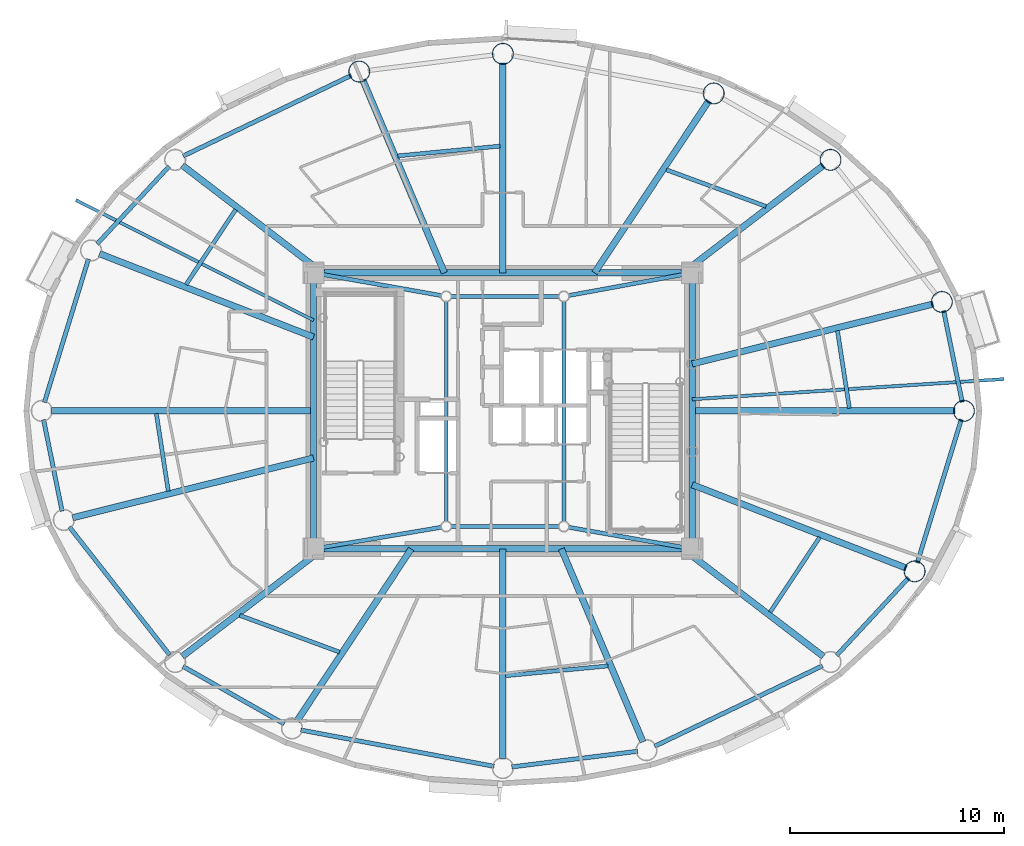
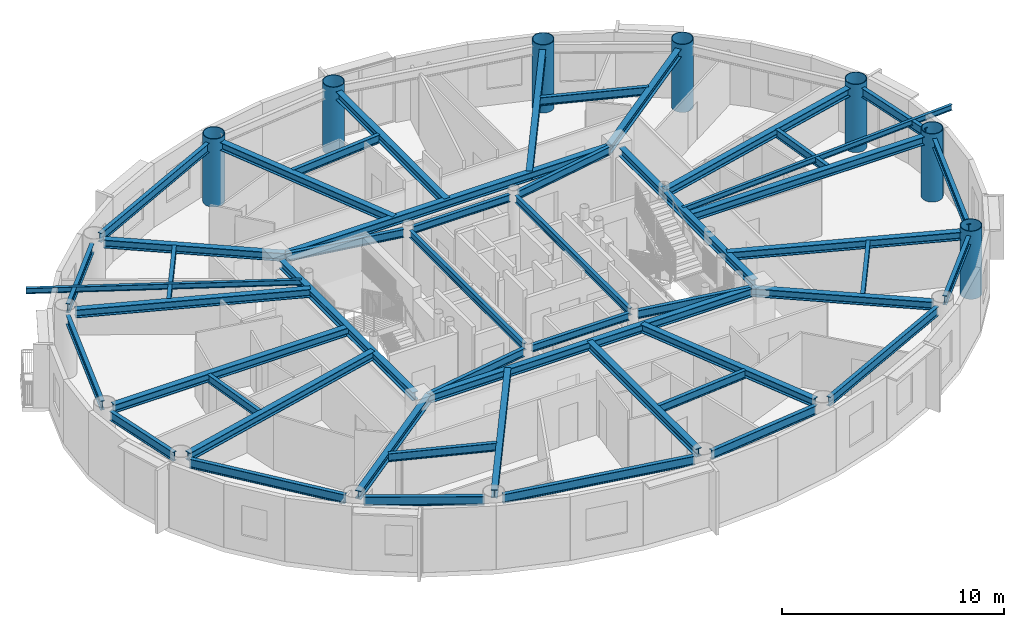
# One storey, part 2 of 18: 50 beams, 7 columns.
"""IFC4 building model written with IfcOpenShell, lengths in metres."""

import ifcopenshell
import ifcopenshell.guid

model = None  # the IFC model being written
_history = None  # IfcOwnerHistory: only IFC2X3 demands one
_inside = {}  # id of a spatial element -> (the spatial element, [elements in it])
_under = {}  # id of a project, library or spatial element -> (it, [spatial elements below it])
_declared = {}  # id of a project -> (the project, [libraries it declares])
_typed = {}  # id of a type object -> (the type object, [elements of that type])
_made_of = {}  # id of a material, layer set ... -> (it, [elements and type objects made of it])


def new_model(schema):
    """Start an empty IFC model of exactly this schema.

    Asked for "IFC4X3", IfcOpenShell would pick the latest addendum, in which some entities
    have other attributes; the version numbers below select the first issue.
    IFC2X3 requires an IfcOwnerHistory on every rooted entity: one is made here for all.
    """
    global model, _history
    if schema == "IFC4X3":
        model = ifcopenshell.file(schema_version=(4, 3, 0, 0))
    else:
        model = ifcopenshell.file(schema=schema)
    _inside.clear()
    _under.clear()
    _declared.clear()
    _typed.clear()
    _made_of.clear()
    _history = None
    if model.schema == "IFC2X3":
        org = make("IfcOrganization", Name="unknown")
        user = make(
            "IfcPersonAndOrganization",
            ThePerson=make("IfcPerson", FamilyName="unknown"),
            TheOrganization=org,
        )
        app = make(
            "IfcApplication",
            ApplicationDeveloper=org,
            Version="unknown",
            ApplicationFullName="unknown",
            ApplicationIdentifier="unknown",
        )
        _history = make(
            "IfcOwnerHistory",
            OwningUser=user,
            OwningApplication=app,
            ChangeAction="ADDED",
            CreationDate=0,
        )
    return model


def make(cls, **values):
    """One entity of the class cls with the attributes given. An attribute that is None is left unset."""
    return model.create_entity(
        cls, **{name: value for name, value in values.items() if value is not None}
    )


def rooted(cls, **values):
    """An entity with a GlobalId (a new one), such as an element, a storey or a relation."""
    return make(cls, GlobalId=ifcopenshell.guid.new(), OwnerHistory=_history, **values)


def si_unit(unit_type, name, prefix=None):
    """IfcSIUnit, for example si_unit("LENGTHUNIT", "METRE", prefix="MILLI")."""
    return make("IfcSIUnit", UnitType=unit_type, Prefix=prefix, Name=name)


def assignment(units):
    """IfcUnitAssignment: the units of a project."""
    return None if units is None else make("IfcUnitAssignment", Units=units)


def point(xyz):
    """IfcCartesianPoint."""
    return None if xyz is None else make("IfcCartesianPoint", Coordinates=xyz)


def direction(xyz):
    """IfcDirection."""
    return None if xyz is None else make("IfcDirection", DirectionRatios=xyz)


def frame(location, z_axis=None, x_axis=None):
    """IfcAxis2Placement3D, a coordinate frame: its origin and axes. An axis left out is left unset."""
    return make(
        "IfcAxis2Placement3D",
        Location=point(location),
        Axis=direction(z_axis),
        RefDirection=direction(x_axis),
    )


def frame_2d(location, x_axis=None):
    """IfcAxis2Placement2D, a coordinate frame in the plane: its origin and x axis."""
    return make(
        "IfcAxis2Placement2D", Location=point(location), RefDirection=direction(x_axis)
    )


def origin():
    """The frame at (0, 0, 0) with its axes left unset."""
    return frame((0.0, 0.0, 0.0))


def origin_2d():
    """The frame at (0, 0) in the plane with its x axis left unset."""
    return frame_2d((0.0, 0.0))


def place(relative_to, where):
    """IfcLocalPlacement: puts the frame where relative to a parent placement (None: the world)."""
    return make(
        "IfcLocalPlacement", PlacementRelTo=relative_to, RelativePlacement=where
    )


def context(
    kind, dimensions, precision=None, world=None, true_north=None, identifier=None
):
    """IfcGeometricRepresentationContext, for example the 3D "Model" context."""
    return make(
        "IfcGeometricRepresentationContext",
        ContextIdentifier=identifier,
        ContextType=kind,
        CoordinateSpaceDimension=dimensions,
        Precision=precision,
        WorldCoordinateSystem=world,
        TrueNorth=true_north,
    )


def subcontext(parent, identifier, kind, view, scale=None):
    """IfcGeometricRepresentationSubContext, for example "Body" below "Model"."""
    return make(
        "IfcGeometricRepresentationSubContext",
        ContextIdentifier=identifier,
        ContextType=kind,
        ParentContext=parent,
        TargetScale=scale,
        TargetView=view,
    )


def project(units=None, contexts=None):
    """IfcProject with its units and contexts."""
    return rooted(
        "IfcProject",
        Name="project",
        RepresentationContexts=contexts,
        UnitsInContext=assignment(units),
    )


def spatial(cls, under=None, at=None, **own):
    """A site, building, storey or space (cls), placed at a placement, below another one or the project."""
    s = rooted(cls, ObjectPlacement=at, **own)
    if under is not None:
        _under.setdefault(under.id(), (under, []))[1].append(s)
    return s


def profile(cls, at=None, kind="AREA", **sizes):
    """A parametric profile (cls). Its sizes go by their IFC names, for example OverallWidth=200.0."""
    return make(cls, ProfileType=kind, Position=at, **sizes)


def hollow_circle(**sizes):
    """IfcCircleHollowProfileDef."""
    return profile("IfcCircleHollowProfileDef", **sizes)


def i_section(**sizes):
    """IfcIShapeProfileDef."""
    return profile("IfcIShapeProfileDef", **sizes)


def extrude(swept, where, along, depth):
    """IfcExtrudedAreaSolid: the profile swept, set in the frame where, extruded along a direction by depth."""
    return make(
        "IfcExtrudedAreaSolid",
        SweptArea=swept,
        Position=where,
        ExtrudedDirection=direction(along),
        Depth=depth,
    )


def shape(context_of_items, identifier, shape_type, items):
    """IfcShapeRepresentation: the items that make up one representation, for example the "Body"."""
    return make(
        "IfcShapeRepresentation",
        ContextOfItems=context_of_items,
        RepresentationIdentifier=identifier,
        RepresentationType=shape_type,
        Items=items,
    )


def material(Name=None, Category=None):
    """IfcMaterial."""
    return make("IfcMaterial", Name=Name, Category=Category)


def material_profile(
    of_material, cross_section, Name=None, Category=None, Priority=None
):
    """IfcMaterialProfile: a cross section and its material."""
    return make(
        "IfcMaterialProfile",
        Name=Name,
        Material=of_material,
        Profile=cross_section,
        Priority=Priority,
        Category=Category,
    )


def profile_set(profiles, Name=None, composite=None):
    """IfcMaterialProfileSet."""
    return make(
        "IfcMaterialProfileSet",
        Name=Name,
        MaterialProfiles=profiles,
        CompositeProfile=composite,
    )


def made_of(thing, what):
    """Note that an element or type object is made of a material, layer set ...; save() writes the relation."""
    if what is not None:
        _made_of.setdefault(what.id(), (what, []))[1].append(thing)
    return thing


def type_object(cls, material=None, **own):
    """A type object (cls), such as IfcWallType, which elements share."""
    return made_of(rooted(cls, **own), material)


def element(
    cls,
    number,
    at=None,
    inside=None,
    cuts=None,
    type_object=None,
    material=None,
    context=None,
    identifier="Body",
    shape_type=None,
    held_by="IfcProductDefinitionShape",
    body=None,
    shapes=None,
    **own,
):
    """One element of the class cls, such as IfcWall. Its Tag is "e" and its number.

    at: its placement. inside: the storey or other place that contains it. cuts: it is an
    opening in that element (IfcRelVoidsElement). A single representation is given by context,
    identifier, shape_type and body (its items); several are given by shapes. held_by: the class
    of the entity that holds the representations. save() writes the other relations.
    """
    e = rooted(cls, Tag="e%d" % number, ObjectPlacement=at, **own)
    if body is not None:
        shapes = [shape(context, identifier, shape_type, body)]
    if shapes is not None:
        e.Representation = make(held_by, Representations=shapes)
    if inside is not None:
        _inside.setdefault(inside.id(), (inside, []))[1].append(e)
    if cuts is not None:
        rooted(
            "IfcRelVoidsElement", RelatingBuildingElement=cuts, RelatedOpeningElement=e
        )
    if type_object is not None:
        _typed.setdefault(type_object.id(), (type_object, []))[1].append(e)
    return made_of(e, material)


def aggregate(whole, parts):
    """IfcRelAggregates: a whole, such as a stair, and the parts it consists of."""
    return rooted("IfcRelAggregates", RelatingObject=whole, RelatedObjects=parts)


def save(model, path):
    """Write the relations noted so far, then the file.

    IfcRelAggregates (storeys below a building ...), IfcRelContainedInSpatialStructure (elements
    in a storey), IfcRelDefinesByType, IfcRelAssociatesMaterial and IfcRelDeclares: one each for
    every whole, place, type object, material and project.
    """
    for whole, parts in _under.values():
        aggregate(whole, parts)
    for where, things in _inside.values():
        rooted(
            "IfcRelContainedInSpatialStructure",
            RelatedElements=things,
            RelatingStructure=where,
        )
    for kind, things in _typed.values():
        rooted("IfcRelDefinesByType", RelatedObjects=things, RelatingType=kind)
    for what, things in _made_of.values():
        rooted("IfcRelAssociatesMaterial", RelatedObjects=things, RelatingMaterial=what)
    for by, libraries in _declared.values():
        rooted("IfcRelDeclares", RelatingContext=by, RelatedDefinitions=libraries)
    model.write(path)


model = new_model("IFC4")

# Units and contexts
model_context = context("Model", 3, precision=1e-05, world=origin(), true_north=direction((0.0, 1.0)))
body_context = subcontext(model_context, "Body", "Model", "MODEL_VIEW")
ifc_project = project(units=[si_unit("LENGTHUNIT", "METRE"), si_unit("AREAUNIT", "SQUARE_METRE"), si_unit("VOLUMEUNIT", "CUBIC_METRE"), si_unit("PLANEANGLEUNIT", "RADIAN"), si_unit("MASSUNIT", "GRAM", prefix="KILO")], contexts=[model_context])

# Site, building, storey
site_placement = place(None, origin())
site = spatial("IfcSite", under=ifc_project, at=site_placement, CompositionType="ELEMENT")
building_placement = place(site_placement, origin())
building = spatial("IfcBuilding", under=site, at=building_placement, Name="Linh Dai School and Residence Tower", CompositionType="ELEMENT")
storey_placement = place(building_placement, frame((0.0, 0.0, 295.5)))
storey = spatial("IfcBuildingStorey", under=building, at=storey_placement, Name="L73", CompositionType="ELEMENT", Elevation=295.5)

# Columns
ifc_material = material(Name="Structural Steel S355JR", Category="steel")
ifc_material_profile_1 = material_profile(ifc_material, hollow_circle(Radius=0.5, WallThickness=0.031982421875, at=origin_2d()), Name="CHS 1000x32")
ifc_profile_set_1 = profile_set([ifc_material_profile_1], Name="Structural Steel S355JR")
column_type = type_object("IfcColumnType", Name="COL-MC6", PredefinedType="COLUMN", material=ifc_profile_set_1)
for number, where, z_axis, x_axis, name in (
    (1, (57.550048828125, 27.0, 0.0), (0.0, 0.0, 1.0), (1.0, 0.0, 0.0), "L73 Perimeter CFT Mega-Column MC01"),
    (2, (56.5185546875, 32.094482421875, 0.0), (0.0, 0.0, 1.0), (1.0, 0.0, 0.0), "L73 Perimeter CFT Mega-Column MC02"),
    (3, (51.315185546875, 38.7333984375, 0.0), (0.0, 0.0, 1.0), (1.0, 0.0, 0.0), "L73 Perimeter CFT Mega-Column MC03"),
    (4, (45.8544921875, 41.8388671875, 0.0), (0.0, 0.0, 1.0), (1.0, 0.0, 0.0), "L73 Perimeter CFT Mega-Column MC04"),
    (5, (36.0, 43.68994140625, 0.0), (0.0, 0.0, 1.0), (1.0, 0.0, 0.0), "L73 Perimeter CFT Mega-Column MC05"),
    (6, (29.28759765625, 42.857666015625, 0.0), (0.0, 0.0, 1.0), (1.0, 0.0, 0.0), "L73 Perimeter CFT Mega-Column MC06"),
    (7, (55.24609375, 19.50048828125, 0.0), (0.0, 0.0, 1.0), (1.0, 0.0, 0.0), "L73 Perimeter CFT Mega-Column MC16"),
):
    element("IfcColumn", number, at=place(storey_placement, frame(where, z_axis=z_axis, x_axis=x_axis)), inside=storey, type_object=column_type, Name=name, PredefinedType="COLUMN", context=body_context, shape_type="SweptSolid", body=[
        extrude(hollow_circle(Radius=0.5, WallThickness=0.031982421875, at=origin_2d()), origin(), (0.0, 0.0, 1.0), 3.75),
    ])

# Beams
ifc_material_profile_2 = material_profile(ifc_material, i_section(OverallWidth=0.14990234375, OverallDepth=0.300048828125, WebThickness=0.007080078125, FlangeThickness=0.0107421875, at=origin_2d()), Name="IPE 300")
ifc_profile_set_2 = profile_set([ifc_material_profile_2], Name="Structural Steel S355JR")
beam_type_1 = type_object("IfcBeamType", Name="BM-BALC-CANT", PredefinedType="BEAM", material=ifc_profile_set_2)
beam_1_placement = place(storey_placement, frame((44.85009765625, 27.54345703125, 3.35009765625), z_axis=(0.997904215312, 0.064708400245, 0.0), x_axis=(-0.064708400245, 0.997904215312, 0.0)))
element("IfcBeam", 8, at=beam_1_placement, inside=storey, type_object=beam_type_1, Name="L74 Balcony Continuous Cantilever Beam 01", PredefinedType="BEAM", context=body_context, shape_type="SweptSolid", body=[
    extrude(i_section(OverallWidth=0.14990234375, OverallDepth=0.300048828125, WebThickness=0.007080078125, FlangeThickness=0.0107421875, at=origin_2d()), origin(), (0.0, 0.0, 1.0), 14.597412109375),
])
beam_2_placement = place(storey_placement, frame((27.14990234375, 31.23291015625, 3.35009765625), z_axis=(-0.892266718589, 0.451508696371, 0.0), x_axis=(-0.451508696371, -0.892266718589, 0.0)))
element("IfcBeam", 9, at=beam_2_placement, inside=storey, type_object=beam_type_1, Name="L74 Balcony Continuous Cantilever Beam 17", PredefinedType="BEAM", context=body_context, shape_type="SweptSolid", body=[
    extrude(i_section(OverallWidth=0.14990234375, OverallDepth=0.300048828125, WebThickness=0.007080078125, FlangeThickness=0.0107421875, at=origin_2d()), origin(), (0.0, 0.0, 1.0), 12.44482421875),
])
ifc_material_profile_3 = material_profile(ifc_material, i_section(OverallWidth=0.199951171875, OverallDepth=0.5, WebThickness=0.01025390625, FlangeThickness=0.01611328125, FilletRadius=0.02099609375, at=origin_2d()), Name="IPE 500")
ifc_profile_set_3 = profile_set([ifc_material_profile_3], Name="Structural Steel S355JR")
beam_type_2 = type_object("IfcBeamType", Name="BM-RB50", PredefinedType="BEAM", material=ifc_profile_set_3)
beam_3_placement = place(storey_placement, frame((57.466552734375, 27.41162109375, 3.25), z_axis=(-0.198442801529, 0.980112470343, 0.0), x_axis=(-0.980112470343, -0.198442801529, 0.0)))
element("IfcBeam", 10, at=beam_3_placement, inside=storey, type_object=beam_type_2, Name="L73 Perimeter Elliptical Ring Beam 01", PredefinedType="BEAM", context=body_context, shape_type="SweptSolid", body=[
    extrude(i_section(OverallWidth=0.199951171875, OverallDepth=0.5, WebThickness=0.01025390625, FlangeThickness=0.01611328125, FilletRadius=0.02099609375, at=origin_2d()), origin(), (0.0, 0.0, 1.0), 4.357666015625),
])
beam_4_placement = place(storey_placement, frame((28.908935546875, 42.67626953125, 3.25), z_axis=(-0.901728757887, -0.4323022637, 0.0), x_axis=(0.4323022637, -0.901728757887, 0.0)))
element("IfcBeam", 11, at=beam_4_placement, inside=storey, type_object=beam_type_2, Name="L73 Perimeter Elliptical Ring Beam 06", PredefinedType="BEAM", context=body_context, shape_type="SweptSolid", body=[
    extrude(i_section(OverallWidth=0.199951171875, OverallDepth=0.5, WebThickness=0.01025390625, FlangeThickness=0.01611328125, FilletRadius=0.02099609375, at=origin_2d()), origin(), (0.0, 0.0, 1.0), 8.700439453125),
])
beam_5_placement = place(storey_placement, frame((20.399169921875, 38.425537109375, 3.25), z_axis=(-0.680415064526, -0.7328269509, 0.0), x_axis=(0.7328269509, -0.680415064526, 0.0)))
element("IfcBeam", 12, at=beam_5_placement, inside=storey, type_object=beam_type_2, Name="L73 Perimeter Elliptical Ring Beam 07", PredefinedType="BEAM", context=body_context, shape_type="SweptSolid", body=[
    extrude(i_section(OverallWidth=0.199951171875, OverallDepth=0.5, WebThickness=0.01025390625, FlangeThickness=0.01611328125, FilletRadius=0.02099609375, at=origin_2d()), origin(), (0.0, 0.0, 1.0), 4.9375),
])
beam_6_placement = place(storey_placement, frame((16.630615234375, 34.097900390625, 3.25), z_axis=(-0.293681749834, -0.955903253376, 0.0), x_axis=(0.955903253376, -0.293681749834, 0.0)))
element("IfcBeam", 13, at=beam_6_placement, inside=storey, type_object=beam_type_2, Name="L73 Perimeter Elliptical Ring Beam 08", PredefinedType="BEAM", context=body_context, shape_type="SweptSolid", body=[
    extrude(i_section(OverallWidth=0.199951171875, OverallDepth=0.5, WebThickness=0.01025390625, FlangeThickness=0.01611328125, FilletRadius=0.02099609375, at=origin_2d()), origin(), (0.0, 0.0, 1.0), 7.00537109375),
])
beam_7_placement = place(storey_placement, frame((14.533447265625, 26.58837890625, 3.25), z_axis=(0.198442801529, -0.980112470343, 0.0), x_axis=(0.980112470343, 0.198442801529, 0.0)))
element("IfcBeam", 14, at=beam_7_placement, inside=storey, type_object=beam_type_2, Name="L73 Perimeter Elliptical Ring Beam 09", PredefinedType="BEAM", context=body_context, shape_type="SweptSolid", body=[
    extrude(i_section(OverallWidth=0.199951171875, OverallDepth=0.5, WebThickness=0.01025390625, FlangeThickness=0.01611328125, FilletRadius=0.02099609375, at=origin_2d()), origin(), (0.0, 0.0, 1.0), 4.357666015625),
])
beam_8_placement = place(storey_placement, frame((15.740478515625, 21.574951171875, 3.25), z_axis=(0.616882739554, -0.787055071542, 0.0), x_axis=(0.787055071542, 0.616882739554, 0.0)))
element("IfcBeam", 15, at=beam_8_placement, inside=storey, type_object=beam_type_2, Name="L73 Perimeter Elliptical Ring Beam 10", PredefinedType="BEAM", context=body_context, shape_type="SweptSolid", body=[
    extrude(i_section(OverallWidth=0.199951171875, OverallDepth=0.5, WebThickness=0.01025390625, FlangeThickness=0.01611328125, FilletRadius=0.02099609375, at=origin_2d()), origin(), (0.0, 0.0, 1.0), 7.59521484375),
])
beam_9_placement = place(storey_placement, frame((21.050048828125, 15.05908203125, 3.25), z_axis=(0.869265548778, -0.494345431564, 0.0), x_axis=(0.494345431564, 0.869265548778, 0.0)))
element("IfcBeam", 16, at=beam_9_placement, inside=storey, type_object=beam_type_2, Name="L73 Perimeter Elliptical Ring Beam 11", PredefinedType="BEAM", context=body_context, shape_type="SweptSolid", body=[
    extrude(i_section(OverallWidth=0.199951171875, OverallDepth=0.5, WebThickness=0.01025390625, FlangeThickness=0.01611328125, FilletRadius=0.02099609375, at=origin_2d()), origin(), (0.0, 0.0, 1.0), 5.44189453125),
])
beam_10_placement = place(storey_placement, frame((26.558349609375, 12.083740234375, 3.25), z_axis=(0.982805333306, -0.184644731378, 0.0), x_axis=(0.184644731378, 0.982805333306, 0.0)))
element("IfcBeam", 17, at=beam_10_placement, inside=storey, type_object=beam_type_2, Name="L73 Perimeter Elliptical Ring Beam 12", PredefinedType="BEAM", context=body_context, shape_type="SweptSolid", body=[
    extrude(i_section(OverallWidth=0.199951171875, OverallDepth=0.5, WebThickness=0.01025390625, FlangeThickness=0.01611328125, FilletRadius=0.02099609375, at=origin_2d()), origin(), (0.0, 0.0, 1.0), 9.186767578125),
])
beam_11_placement = place(storey_placement, frame((36.416748046875, 10.361572265625, 3.25), z_axis=(0.992399134443, 0.123060789678, 0.0), x_axis=(-0.123060789678, 0.992399134443, 0.0)))
element("IfcBeam", 18, at=beam_11_placement, inside=storey, type_object=beam_type_2, Name="L73 Perimeter Elliptical Ring Beam 13", PredefinedType="BEAM", context=body_context, shape_type="SweptSolid", body=[
    extrude(i_section(OverallWidth=0.199951171875, OverallDepth=0.5, WebThickness=0.01025390625, FlangeThickness=0.01611328125, FilletRadius=0.02099609375, at=origin_2d()), origin(), (0.0, 0.0, 1.0), 5.923828125),
])
beam_12_placement = place(storey_placement, frame((43.091064453125, 11.32373046875, 3.25), z_axis=(0.901728757887, 0.4323022637, 0.0), x_axis=(-0.4323022637, 0.901728757887, 0.0)))
element("IfcBeam", 19, at=beam_12_placement, inside=storey, type_object=beam_type_2, Name="L73 Perimeter Elliptical Ring Beam 14", PredefinedType="BEAM", context=body_context, shape_type="SweptSolid", body=[
    extrude(i_section(OverallWidth=0.199951171875, OverallDepth=0.5, WebThickness=0.01025390625, FlangeThickness=0.01611328125, FilletRadius=0.02099609375, at=origin_2d()), origin(), (0.0, 0.0, 1.0), 8.700439453125),
])
beam_13_placement = place(storey_placement, frame((51.600830078125, 15.574462890625, 3.25), z_axis=(0.680415064526, 0.7328269509, 0.0), x_axis=(-0.7328269509, 0.680415064526, 0.0)))
element("IfcBeam", 20, at=beam_13_placement, inside=storey, type_object=beam_type_2, Name="L73 Perimeter Elliptical Ring Beam 15", PredefinedType="BEAM", context=body_context, shape_type="SweptSolid", body=[
    extrude(i_section(OverallWidth=0.199951171875, OverallDepth=0.5, WebThickness=0.01025390625, FlangeThickness=0.01611328125, FilletRadius=0.02099609375, at=origin_2d()), origin(), (0.0, 0.0, 1.0), 4.9375),
])
beam_14_placement = place(storey_placement, frame((55.369384765625, 19.902099609375, 3.25), z_axis=(0.293681749834, 0.955903253376, 0.0), x_axis=(-0.955903253376, 0.293681749834, 0.0)))
element("IfcBeam", 21, at=beam_14_placement, inside=storey, type_object=beam_type_2, Name="L73 Perimeter Elliptical Ring Beam 16", PredefinedType="BEAM", context=body_context, shape_type="SweptSolid", body=[
    extrude(i_section(OverallWidth=0.199951171875, OverallDepth=0.5, WebThickness=0.01025390625, FlangeThickness=0.01611328125, FilletRadius=0.02099609375, at=origin_2d()), origin(), (0.0, 0.0, 1.0), 7.00537109375),
])
ifc_material_profile_4 = material_profile(ifc_material, i_section(OverallWidth=0.300048828125, OverallDepth=0.449951171875, WebThickness=0.013916015625, FlangeThickness=0.02587890625, FilletRadius=0.027099609375, at=origin_2d()), Name="HEB 450")
ifc_profile_set_4 = profile_set([ifc_material_profile_4], Name="Structural Steel S355JR")
beam_type_3 = type_object("IfcBeamType", Name="BM-RG45", PredefinedType="BEAM", material=ifc_profile_set_4)
beam_15_placement = place(storey_placement, frame((27.570068359375, 20.550048828125, 3.27490234375), z_axis=(1.0, 0.0, 0.0), x_axis=(0.0, 1.0, 0.0)))
element("IfcBeam", 22, at=beam_15_placement, inside=storey, type_object=beam_type_3, Name="L73 Core Perimeter Coupling Girder 1", PredefinedType="BEAM", context=body_context, shape_type="SweptSolid", body=[
    extrude(i_section(OverallWidth=0.300048828125, OverallDepth=0.449951171875, WebThickness=0.013916015625, FlangeThickness=0.02587890625, FilletRadius=0.027099609375, at=origin_2d()), origin(), (0.0, 0.0, 1.0), 16.85986328125),
])
beam_16_placement = place(storey_placement, frame((44.85009765625, 20.969970703125, 3.27490234375), z_axis=(0.0, 1.0, 0.0), x_axis=(-1.0, 0.0, 0.0)))
element("IfcBeam", 23, at=beam_16_placement, inside=storey, type_object=beam_type_3, Name="L73 Core Perimeter Coupling Girder 2", PredefinedType="BEAM", context=body_context, shape_type="SweptSolid", body=[
    extrude(i_section(OverallWidth=0.300048828125, OverallDepth=0.449951171875, WebThickness=0.013916015625, FlangeThickness=0.02587890625, FilletRadius=0.027099609375, at=origin_2d()), origin(), (0.0, 0.0, 1.0), 12.06005859375),
])
beam_17_placement = place(storey_placement, frame((44.429931640625, 33.449951171875, 3.27490234375), z_axis=(-1.0, 0.0, 0.0), x_axis=(0.0, -1.0, 0.0)))
element("IfcBeam", 24, at=beam_17_placement, inside=storey, type_object=beam_type_3, Name="L73 Core Perimeter Coupling Girder 3", PredefinedType="BEAM", context=body_context, shape_type="SweptSolid", body=[
    extrude(i_section(OverallWidth=0.300048828125, OverallDepth=0.449951171875, WebThickness=0.013916015625, FlangeThickness=0.02587890625, FilletRadius=0.027099609375, at=origin_2d()), origin(), (0.0, 0.0, 1.0), 16.85986328125),
])
beam_18_placement = place(storey_placement, frame((27.14990234375, 33.030029296875, 3.27490234375), z_axis=(0.0, -1.0, 0.0), x_axis=(1.0, 0.0, 0.0)))
element("IfcBeam", 25, at=beam_18_placement, inside=storey, type_object=beam_type_3, Name="L73 Core Perimeter Coupling Girder 4", PredefinedType="BEAM", context=body_context, shape_type="SweptSolid", body=[
    extrude(i_section(OverallWidth=0.300048828125, OverallDepth=0.449951171875, WebThickness=0.013916015625, FlangeThickness=0.02587890625, FilletRadius=0.027099609375, at=origin_2d()), origin(), (0.0, 0.0, 1.0), 12.06005859375),
])
beam_19_placement = place(storey_placement, frame((44.85009765625, 27.0, 3.27490234375), z_axis=(1.0, 0.0, 0.0), x_axis=(0.0, 1.0, 0.0)))
element("IfcBeam", 26, at=beam_19_placement, inside=storey, type_object=beam_type_3, Name="L73 Primary Radial Floor Girder 01", PredefinedType="BEAM", context=body_context, shape_type="SweptSolid", body=[
    extrude(i_section(OverallWidth=0.300048828125, OverallDepth=0.449951171875, WebThickness=0.013916015625, FlangeThickness=0.02587890625, FilletRadius=0.027099609375, at=origin_2d()), origin(), (0.0, 0.0, 1.0), 12.27978515625),
])
beam_20_placement = place(storey_placement, frame((44.85009765625, 29.197265625, 3.27490234375), z_axis=(0.970532368701, 0.240970789315, 0.0), x_axis=(-0.240970789315, 0.970532368701, 0.0)))
element("IfcBeam", 27, at=beam_20_placement, inside=storey, type_object=beam_type_3, Name="L73 Primary Radial Floor Girder 02", PredefinedType="BEAM", context=body_context, shape_type="SweptSolid", body=[
    extrude(i_section(OverallWidth=0.300048828125, OverallDepth=0.449951171875, WebThickness=0.013916015625, FlangeThickness=0.02587890625, FilletRadius=0.027099609375, at=origin_2d()), origin(), (0.0, 0.0, 1.0), 11.6025390625),
])
beam_21_placement = place(storey_placement, frame((44.4189453125, 33.449951171875, 3.27490234375), z_axis=(0.793802616583, 0.608175472956, 0.0), x_axis=(-0.608175472956, 0.793802616583, 0.0)))
element("IfcBeam", 28, at=beam_21_placement, inside=storey, type_object=beam_type_3, Name="L73 Primary Radial Floor Girder 03", PredefinedType="BEAM", context=body_context, shape_type="SweptSolid", body=[
    extrude(i_section(OverallWidth=0.300048828125, OverallDepth=0.449951171875, WebThickness=0.013916015625, FlangeThickness=0.02587890625, FilletRadius=0.027099609375, at=origin_2d()), origin(), (0.0, 0.0, 1.0), 8.267578125),
])
beam_22_placement = place(storey_placement, frame((40.283447265625, 33.449951171875, 3.27490234375), z_axis=(0.553210566646, 0.833041456922, 0.0), x_axis=(-0.833041456922, 0.553210566646, 0.0)))
element("IfcBeam", 29, at=beam_22_placement, inside=storey, type_object=beam_type_3, Name="L73 Primary Radial Floor Girder 04", PredefinedType="BEAM", context=body_context, shape_type="SweptSolid", body=[
    extrude(i_section(OverallWidth=0.300048828125, OverallDepth=0.449951171875, WebThickness=0.013916015625, FlangeThickness=0.02587890625, FilletRadius=0.027099609375, at=origin_2d()), origin(), (0.0, 0.0, 1.0), 9.650146484375),
])
beam_23_placement = place(storey_placement, frame((36.0, 33.449951171875, 3.27490234375), z_axis=(0.0, 1.0, 0.0), x_axis=(-1.0, 0.0, 0.0)))
element("IfcBeam", 30, at=beam_23_placement, inside=storey, type_object=beam_type_3, Name="L73 Primary Radial Floor Girder 05", PredefinedType="BEAM", context=body_context, shape_type="SweptSolid", body=[
    extrude(i_section(OverallWidth=0.300048828125, OverallDepth=0.449951171875, WebThickness=0.013916015625, FlangeThickness=0.02587890625, FilletRadius=0.027099609375, at=origin_2d()), origin(), (0.0, 0.0, 1.0), 9.820068359375),
])
beam_24_placement = place(storey_placement, frame((33.269775390625, 33.449951171875, 3.27490234375), z_axis=(-0.389794463678, 0.920901881899, 0.0), x_axis=(-0.920901881899, -0.389794463678, 0.0)))
element("IfcBeam", 31, at=beam_24_placement, inside=storey, type_object=beam_type_3, Name="L73 Primary Radial Floor Girder 06", PredefinedType="BEAM", context=body_context, shape_type="SweptSolid", body=[
    extrude(i_section(OverallWidth=0.300048828125, OverallDepth=0.449951171875, WebThickness=0.013916015625, FlangeThickness=0.02587890625, FilletRadius=0.027099609375, at=origin_2d()), origin(), (0.0, 0.0, 1.0), 9.7958984375),
])
beam_25_placement = place(storey_placement, frame((27.5810546875, 33.449951171875, 3.27490234375), z_axis=(-0.793802616583, 0.608175472956, 0.0), x_axis=(-0.608175472956, -0.793802616583, 0.0)))
element("IfcBeam", 32, at=beam_25_placement, inside=storey, type_object=beam_type_3, Name="L73 Primary Radial Floor Girder 07", PredefinedType="BEAM", context=body_context, shape_type="SweptSolid", body=[
    extrude(i_section(OverallWidth=0.300048828125, OverallDepth=0.449951171875, WebThickness=0.013916015625, FlangeThickness=0.02587890625, FilletRadius=0.027099609375, at=origin_2d()), origin(), (0.0, 0.0, 1.0), 8.267578125),
])
beam_26_placement = place(storey_placement, frame((27.14990234375, 30.448486328125, 3.27490234375), z_axis=(-0.931760809838, 0.363072710693, 0.0), x_axis=(-0.363072710693, -0.931760809838, 0.0)))
element("IfcBeam", 33, at=beam_26_placement, inside=storey, type_object=beam_type_3, Name="L73 Primary Radial Floor Girder 08", PredefinedType="BEAM", context=body_context, shape_type="SweptSolid", body=[
    extrude(i_section(OverallWidth=0.300048828125, OverallDepth=0.449951171875, WebThickness=0.013916015625, FlangeThickness=0.02587890625, FilletRadius=0.027099609375, at=origin_2d()), origin(), (0.0, 0.0, 1.0), 10.7373046875),
])
beam_27_placement = place(storey_placement, frame((27.14990234375, 27.0, 3.27490234375), z_axis=(-1.0, 0.0, 0.0), x_axis=(0.0, -1.0, 0.0)))
element("IfcBeam", 34, at=beam_27_placement, inside=storey, type_object=beam_type_3, Name="L73 Primary Radial Floor Girder 09", PredefinedType="BEAM", context=body_context, shape_type="SweptSolid", body=[
    extrude(i_section(OverallWidth=0.300048828125, OverallDepth=0.449951171875, WebThickness=0.013916015625, FlangeThickness=0.02587890625, FilletRadius=0.027099609375, at=origin_2d()), origin(), (0.0, 0.0, 1.0), 12.27978515625),
])
beam_28_placement = place(storey_placement, frame((27.14990234375, 24.802734375, 3.27490234375), z_axis=(-0.970532368701, -0.240970789315, 0.0), x_axis=(0.240970789315, -0.970532368701, 0.0)))
element("IfcBeam", 35, at=beam_28_placement, inside=storey, type_object=beam_type_3, Name="L73 Primary Radial Floor Girder 10", PredefinedType="BEAM", context=body_context, shape_type="SweptSolid", body=[
    extrude(i_section(OverallWidth=0.300048828125, OverallDepth=0.449951171875, WebThickness=0.013916015625, FlangeThickness=0.02587890625, FilletRadius=0.027099609375, at=origin_2d()), origin(), (0.0, 0.0, 1.0), 11.6025390625),
])
beam_29_placement = place(storey_placement, frame((27.5810546875, 20.550048828125, 3.27490234375), z_axis=(-0.793802616583, -0.608175472956, 0.0), x_axis=(0.608175472956, -0.793802616583, 0.0)))
element("IfcBeam", 36, at=beam_29_placement, inside=storey, type_object=beam_type_3, Name="L73 Primary Radial Floor Girder 11", PredefinedType="BEAM", context=body_context, shape_type="SweptSolid", body=[
    extrude(i_section(OverallWidth=0.300048828125, OverallDepth=0.449951171875, WebThickness=0.013916015625, FlangeThickness=0.02587890625, FilletRadius=0.027099609375, at=origin_2d()), origin(), (0.0, 0.0, 1.0), 8.267578125),
])
beam_30_placement = place(storey_placement, frame((31.716552734375, 20.550048828125, 3.27490234375), z_axis=(-0.553210566646, -0.833041456922, 0.0), x_axis=(0.833041456922, -0.553210566646, 0.0)))
element("IfcBeam", 37, at=beam_30_placement, inside=storey, type_object=beam_type_3, Name="L73 Primary Radial Floor Girder 12", PredefinedType="BEAM", context=body_context, shape_type="SweptSolid", body=[
    extrude(i_section(OverallWidth=0.300048828125, OverallDepth=0.449951171875, WebThickness=0.013916015625, FlangeThickness=0.02587890625, FilletRadius=0.027099609375, at=origin_2d()), origin(), (0.0, 0.0, 1.0), 9.650146484375),
])
beam_31_placement = place(storey_placement, frame((36.0, 20.550048828125, 3.27490234375), z_axis=(0.0, -1.0, 0.0), x_axis=(1.0, 0.0, 0.0)))
element("IfcBeam", 38, at=beam_31_placement, inside=storey, type_object=beam_type_3, Name="L73 Primary Radial Floor Girder 13", PredefinedType="BEAM", context=body_context, shape_type="SweptSolid", body=[
    extrude(i_section(OverallWidth=0.300048828125, OverallDepth=0.449951171875, WebThickness=0.013916015625, FlangeThickness=0.02587890625, FilletRadius=0.027099609375, at=origin_2d()), origin(), (0.0, 0.0, 1.0), 9.820068359375),
])
beam_32_placement = place(storey_placement, frame((38.730224609375, 20.550048828125, 3.27490234375), z_axis=(0.389794463678, -0.920901881899, 0.0), x_axis=(0.920901881899, 0.389794463678, 0.0)))
element("IfcBeam", 39, at=beam_32_placement, inside=storey, type_object=beam_type_3, Name="L73 Primary Radial Floor Girder 14", PredefinedType="BEAM", context=body_context, shape_type="SweptSolid", body=[
    extrude(i_section(OverallWidth=0.300048828125, OverallDepth=0.449951171875, WebThickness=0.013916015625, FlangeThickness=0.02587890625, FilletRadius=0.027099609375, at=origin_2d()), origin(), (0.0, 0.0, 1.0), 9.7958984375),
])
beam_33_placement = place(storey_placement, frame((44.4189453125, 20.550048828125, 3.27490234375), z_axis=(0.793802616583, -0.608175472956, 0.0), x_axis=(0.608175472956, 0.793802616583, 0.0)))
element("IfcBeam", 40, at=beam_33_placement, inside=storey, type_object=beam_type_3, Name="L73 Primary Radial Floor Girder 15", PredefinedType="BEAM", context=body_context, shape_type="SweptSolid", body=[
    extrude(i_section(OverallWidth=0.300048828125, OverallDepth=0.449951171875, WebThickness=0.013916015625, FlangeThickness=0.02587890625, FilletRadius=0.027099609375, at=origin_2d()), origin(), (0.0, 0.0, 1.0), 8.267578125),
])
beam_34_placement = place(storey_placement, frame((44.85009765625, 23.551513671875, 3.27490234375), z_axis=(0.931760809838, -0.363072710693, 0.0), x_axis=(0.363072710693, 0.931760809838, 0.0)))
element("IfcBeam", 41, at=beam_34_placement, inside=storey, type_object=beam_type_3, Name="L73 Primary Radial Floor Girder 16", PredefinedType="BEAM", context=body_context, shape_type="SweptSolid", body=[
    extrude(i_section(OverallWidth=0.300048828125, OverallDepth=0.449951171875, WebThickness=0.013916015625, FlangeThickness=0.02587890625, FilletRadius=0.027099609375, at=origin_2d()), origin(), (0.0, 0.0, 1.0), 10.7373046875),
])
ifc_material_profile_5 = material_profile(ifc_material, i_section(OverallWidth=0.179931640625, OverallDepth=0.39990234375, WebThickness=0.008544921875, FlangeThickness=0.013427734375, FilletRadius=0.02099609375, at=origin_2d()), Name="IPE 400")
ifc_profile_set_5 = profile_set([ifc_material_profile_5], Name="Structural Steel S355JR")
beam_type_4 = type_object("IfcBeamType", Name="BM-SB40", PredefinedType="BEAM", material=ifc_profile_set_5)
beam_35_placement = place(storey_placement, frame((33.573974609375, 21.60009765625, 3.300048828125), z_axis=(1.0, 0.0, 0.0), x_axis=(0.0, 1.0, 0.0)))
element("IfcBeam", 42, at=beam_35_placement, inside=storey, type_object=beam_type_4, Name="L73 Core Mast Pier Tie Beam 1", PredefinedType="BEAM", context=body_context, shape_type="SweptSolid", body=[
    extrude(i_section(OverallWidth=0.179931640625, OverallDepth=0.39990234375, WebThickness=0.008544921875, FlangeThickness=0.013427734375, FilletRadius=0.02099609375, at=origin_2d()), origin(), (0.0, 0.0, 1.0), 5.052001953125),
])
beam_36_placement = place(storey_placement, frame((38.85009765625, 21.823974609375, 3.300048828125), z_axis=(0.0, 1.0, 0.0), x_axis=(-1.0, 0.0, 0.0)))
element("IfcBeam", 43, at=beam_36_placement, inside=storey, type_object=beam_type_4, Name="L73 Core Mast Pier Tie Beam 2", PredefinedType="BEAM", context=body_context, shape_type="SweptSolid", body=[
    extrude(i_section(OverallWidth=0.179931640625, OverallDepth=0.39990234375, WebThickness=0.008544921875, FlangeThickness=0.013427734375, FilletRadius=0.02099609375, at=origin_2d()), origin(), (0.0, 0.0, 1.0), 10.302001953125),
])
beam_37_placement = place(storey_placement, frame((38.6259765625, 32.35009765625, 3.300048828125), z_axis=(-1.0, 0.0, 0.0), x_axis=(0.0, -1.0, 0.0)))
element("IfcBeam", 44, at=beam_37_placement, inside=storey, type_object=beam_type_4, Name="L73 Core Mast Pier Tie Beam 3", PredefinedType="BEAM", context=body_context, shape_type="SweptSolid", body=[
    extrude(i_section(OverallWidth=0.179931640625, OverallDepth=0.39990234375, WebThickness=0.008544921875, FlangeThickness=0.013427734375, FilletRadius=0.02099609375, at=origin_2d()), origin(), (0.0, 0.0, 1.0), 5.052001953125),
])
beam_38_placement = place(storey_placement, frame((33.35009765625, 32.1259765625, 3.300048828125), z_axis=(0.0, -1.0, 0.0), x_axis=(1.0, 0.0, 0.0)))
element("IfcBeam", 45, at=beam_38_placement, inside=storey, type_object=beam_type_4, Name="L73 Core Mast Pier Tie Beam 4", PredefinedType="BEAM", context=body_context, shape_type="SweptSolid", body=[
    extrude(i_section(OverallWidth=0.179931640625, OverallDepth=0.39990234375, WebThickness=0.008544921875, FlangeThickness=0.013427734375, FilletRadius=0.02099609375, at=origin_2d()), origin(), (0.0, 0.0, 1.0), 10.302001953125),
])
ifc_material_profile_6 = material_profile(ifc_material, i_section(OverallWidth=0.18994140625, OverallDepth=0.449951171875, WebThickness=0.009521484375, FlangeThickness=0.0146484375, FilletRadius=0.02099609375, at=origin_2d()), Name="IPE 450")
ifc_profile_set_6 = profile_set([ifc_material_profile_6], Name="Structural Steel S355JR")
beam_type_5 = type_object("IfcBeamType", Name="BM-SB45", PredefinedType="BEAM", material=ifc_profile_set_6)
beam_39_placement = place(storey_placement, frame((27.564208984375, 20.6201171875, 3.27490234375), z_axis=(0.98596270559, 0.166965694638, 0.0), x_axis=(-0.166965694638, 0.98596270559, 0.0)))
element("IfcBeam", 46, at=beam_39_placement, inside=storey, type_object=beam_type_5, Name="L73 Core Corner-to-Mast Pier Beam 1", PredefinedType="BEAM", context=body_context, shape_type="SweptSolid", body=[
    extrude(i_section(OverallWidth=0.18994140625, OverallDepth=0.449951171875, WebThickness=0.009521484375, FlangeThickness=0.0146484375, FilletRadius=0.02099609375, at=origin_2d()), origin(), (0.0, 0.0, 1.0), 5.644287109375),
])
beam_40_placement = place(storey_placement, frame((44.436279296875, 20.622314453125, 3.27490234375), z_axis=(-0.985031608673, 0.17237380867, 0.0), x_axis=(-0.17237380867, -0.985031608673, 0.0)))
element("IfcBeam", 47, at=beam_40_placement, inside=storey, type_object=beam_type_5, Name="L73 Core Corner-to-Mast Pier Beam 2", PredefinedType="BEAM", context=body_context, shape_type="SweptSolid", body=[
    extrude(i_section(OverallWidth=0.18994140625, OverallDepth=0.449951171875, WebThickness=0.009521484375, FlangeThickness=0.0146484375, FilletRadius=0.02099609375, at=origin_2d()), origin(), (0.0, 0.0, 1.0), 5.447265625),
])
beam_41_placement = place(storey_placement, frame((44.436767578125, 33.374267578125, 3.27490234375), z_axis=(-0.983605366802, -0.180334362777, 0.0), x_axis=(0.180334362777, -0.983605366802, 0.0)))
element("IfcBeam", 48, at=beam_41_placement, inside=storey, type_object=beam_type_5, Name="L73 Core Corner-to-Mast Pier Beam 3", PredefinedType="BEAM", context=body_context, shape_type="SweptSolid", body=[
    extrude(i_section(OverallWidth=0.18994140625, OverallDepth=0.449951171875, WebThickness=0.009521484375, FlangeThickness=0.0146484375, FilletRadius=0.02099609375, at=origin_2d()), origin(), (0.0, 0.0, 1.0), 5.455810546875),
])
beam_42_placement = place(storey_placement, frame((27.5634765625, 33.376708984375, 3.27490234375), z_axis=(0.984621828197, -0.174699328672, 0.0), x_axis=(0.174699328672, 0.984621828197, 0.0)))
element("IfcBeam", 49, at=beam_42_placement, inside=storey, type_object=beam_type_5, Name="L73 Core Corner-to-Mast Pier Beam 4", PredefinedType="BEAM", context=body_context, shape_type="SweptSolid", body=[
    extrude(i_section(OverallWidth=0.18994140625, OverallDepth=0.449951171875, WebThickness=0.009521484375, FlangeThickness=0.0146484375, FilletRadius=0.02099609375, at=origin_2d()), origin(), (0.0, 0.0, 1.0), 5.65283203125),
])
beam_43_placement = place(storey_placement, frame((52.1962890625, 27.12841796875, 3.27490234375), z_axis=(-0.152477826599, 0.988306891808, 0.0), x_axis=(-0.988306891808, -0.152477826599, 0.0)))
element("IfcBeam", 50, at=beam_43_placement, inside=storey, type_object=beam_type_5, Name="L73 Secondary Circumferential Floor Beam 01", PredefinedType="BEAM", context=body_context, shape_type="SweptSolid", body=[
    extrude(i_section(OverallWidth=0.18994140625, OverallDepth=0.449951171875, WebThickness=0.009521484375, FlangeThickness=0.0146484375, FilletRadius=0.02099609375, at=origin_2d()), origin(), (0.0, 0.0, 1.0), 3.663330078125),
])
beam_44_placement = place(storey_placement, frame((48.296630859375, 36.55908203125, 3.27490234375), z_axis=(-0.93867853021, 0.344793585964, 0.0), x_axis=(-0.344793585964, -0.93867853021, 0.0)))
element("IfcBeam", 51, at=beam_44_placement, inside=storey, type_object=beam_type_5, Name="L73 Secondary Circumferential Floor Beam 02", PredefinedType="BEAM", context=body_context, shape_type="SweptSolid", body=[
    extrude(i_section(OverallWidth=0.18994140625, OverallDepth=0.449951171875, WebThickness=0.009521484375, FlangeThickness=0.0146484375, FilletRadius=0.02099609375, at=origin_2d()), origin(), (0.0, 0.0, 1.0), 4.96435546875),
])
beam_45_placement = place(storey_placement, frame((35.87060546875, 39.376708984375, 3.27490234375), z_axis=(-0.995447598318, -0.09531043491, 0.0), x_axis=(0.09531043491, -0.995447598318, 0.0)))
element("IfcBeam", 52, at=beam_45_placement, inside=storey, type_object=beam_type_5, Name="L73 Secondary Circumferential Floor Beam 03", PredefinedType="BEAM", context=body_context, shape_type="SweptSolid", body=[
    extrude(i_section(OverallWidth=0.18994140625, OverallDepth=0.449951171875, WebThickness=0.009521484375, FlangeThickness=0.0146484375, FilletRadius=0.02099609375, at=origin_2d()), origin(), (0.0, 0.0, 1.0), 4.802978515625),
])
beam_46_placement = place(storey_placement, frame((23.509521484375, 36.406005859375, 3.27490234375), z_axis=(-0.552120293776, -0.833764463863, 0.0), x_axis=(0.833764463863, -0.552120293776, 0.0)))
element("IfcBeam", 53, at=beam_46_placement, inside=storey, type_object=beam_type_5, Name="L73 Secondary Circumferential Floor Beam 04", PredefinedType="BEAM", context=body_context, shape_type="SweptSolid", body=[
    extrude(i_section(OverallWidth=0.18994140625, OverallDepth=0.449951171875, WebThickness=0.009521484375, FlangeThickness=0.0146484375, FilletRadius=0.02099609375, at=origin_2d()), origin(), (0.0, 0.0, 1.0), 4.197265625),
])
beam_47_placement = place(storey_placement, frame((19.8037109375, 26.87158203125, 3.27490234375), z_axis=(0.152477826599, -0.988306891808, 0.0), x_axis=(0.988306891808, 0.152477826599, 0.0)))
element("IfcBeam", 54, at=beam_47_placement, inside=storey, type_object=beam_type_5, Name="L73 Secondary Circumferential Floor Beam 05", PredefinedType="BEAM", context=body_context, shape_type="SweptSolid", body=[
    extrude(i_section(OverallWidth=0.18994140625, OverallDepth=0.449951171875, WebThickness=0.009521484375, FlangeThickness=0.0146484375, FilletRadius=0.02099609375, at=origin_2d()), origin(), (0.0, 0.0, 1.0), 3.663330078125),
])
beam_48_placement = place(storey_placement, frame((23.703369140625, 17.44091796875, 3.27490234375), z_axis=(0.93867853021, -0.344793585964, 0.0), x_axis=(0.344793585964, 0.93867853021, 0.0)))
element("IfcBeam", 55, at=beam_48_placement, inside=storey, type_object=beam_type_5, Name="L73 Secondary Circumferential Floor Beam 06", PredefinedType="BEAM", context=body_context, shape_type="SweptSolid", body=[
    extrude(i_section(OverallWidth=0.18994140625, OverallDepth=0.449951171875, WebThickness=0.009521484375, FlangeThickness=0.0146484375, FilletRadius=0.02099609375, at=origin_2d()), origin(), (0.0, 0.0, 1.0), 4.96435546875),
])
beam_49_placement = place(storey_placement, frame((36.12939453125, 14.623291015625, 3.27490234375), z_axis=(0.995447598318, 0.09531043491, 0.0), x_axis=(-0.09531043491, 0.995447598318, 0.0)))
element("IfcBeam", 56, at=beam_49_placement, inside=storey, type_object=beam_type_5, Name="L73 Secondary Circumferential Floor Beam 07", PredefinedType="BEAM", context=body_context, shape_type="SweptSolid", body=[
    extrude(i_section(OverallWidth=0.18994140625, OverallDepth=0.449951171875, WebThickness=0.009521484375, FlangeThickness=0.0146484375, FilletRadius=0.02099609375, at=origin_2d()), origin(), (0.0, 0.0, 1.0), 4.802978515625),
])
beam_50_placement = place(storey_placement, frame((48.490478515625, 17.593994140625, 3.27490234375), z_axis=(0.552120293776, 0.833764463863, 0.0), x_axis=(-0.833764463863, 0.552120293776, 0.0)))
element("IfcBeam", 57, at=beam_50_placement, inside=storey, type_object=beam_type_5, Name="L73 Secondary Circumferential Floor Beam 08", PredefinedType="BEAM", context=body_context, shape_type="SweptSolid", body=[
    extrude(i_section(OverallWidth=0.18994140625, OverallDepth=0.449951171875, WebThickness=0.009521484375, FlangeThickness=0.0146484375, FilletRadius=0.02099609375, at=origin_2d()), origin(), (0.0, 0.0, 1.0), 4.197265625),
])

save(model, "model.ifc")
